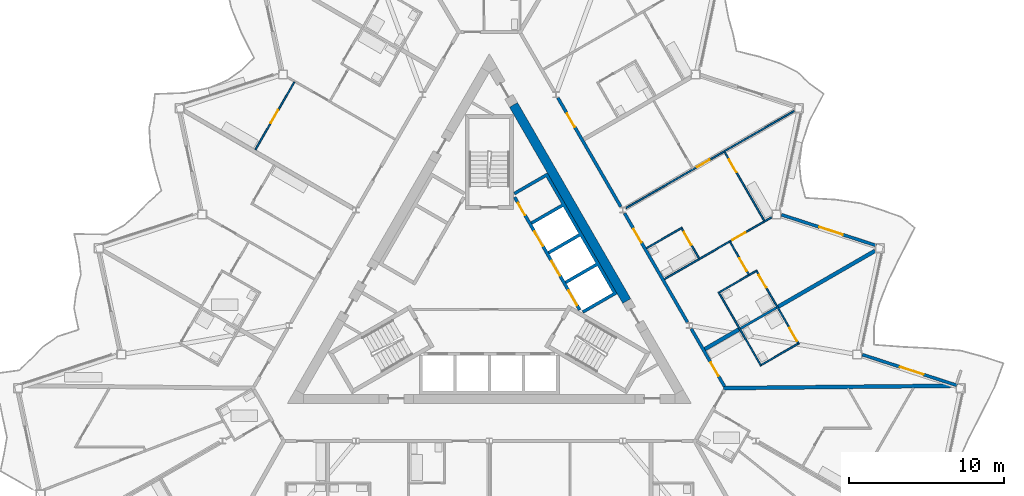
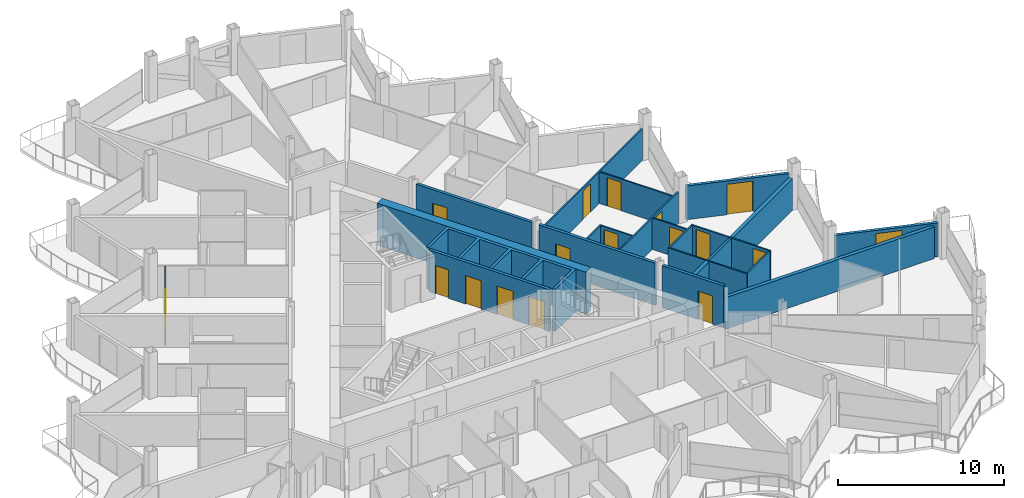
# One storey, part 17 of 27: 23 walls, 17 doors, 17 openings.
"""IFC4 building model written with IfcOpenShell, lengths in metres."""

from ifc_helpers import new_model, si_unit, direction, frame, frame_2d, origin, place, context, subcontext, project, spatial, polyline, rectangle, outline, extrude, material, layer, layer_set, type_object, element, fill, save


model = new_model("IFC4")

# Units and contexts
model_context = context("Model", 3, precision=1e-05, world=origin(), true_north=direction((0.0, 1.0)))
body_context = subcontext(model_context, "Body", "Model", "MODEL_VIEW")
ifc_project = project(units=[si_unit("LENGTHUNIT", "METRE"), si_unit("AREAUNIT", "SQUARE_METRE"), si_unit("VOLUMEUNIT", "CUBIC_METRE"), si_unit("PLANEANGLEUNIT", "RADIAN"), si_unit("MASSUNIT", "GRAM", prefix="KILO")], contexts=[model_context])

# Site, building, storey
site_placement = place(None, origin())
site = spatial("IfcSite", under=ifc_project, at=site_placement, CompositionType="ELEMENT")
building_placement = place(site_placement, origin())
building = spatial("IfcBuilding", under=site, at=building_placement, Name="Cormorant Prow Tower", CompositionType="ELEMENT")
storey_placement = place(building_placement, frame((0.0, 0.0, 335.800048828125)))
storey = spatial("IfcBuildingStorey", under=building, at=storey_placement, Name="L75", CompositionType="ELEMENT", Elevation=335.800048828125)

# Wall
ifc_material_1 = material(Name="Concrete 8000 psi", Category="concrete")
ifc_layer_1 = layer(ifc_material_1, 0.60009765625)
ifc_layer_set_1 = layer_set([ifc_layer_1], Name="Concrete 8000 psi")
wall_type_1 = type_object("IfcWallType", Name="Core shear wall 600", PredefinedType="SHEAR", material=ifc_layer_set_1)
wall_1_placement = place(storey_placement, frame((8.841064453125, -0.902099609375, 0.0), z_axis=(0.0, 0.0, 1.0), x_axis=(-0.499995618375, 0.866027933502, 0.0)))
element("IfcWall", 1, at=wall_1_placement, inside=storey, type_object=wall_type_1, Name="Core wall", PredefinedType="SHEAR", context=body_context, shape_type="SweptSolid", body=[
    extrude(rectangle(XDim=14.570556640625, YDim=0.60009765625, at=frame_2d((7.28515625, 0.0))), origin(), (0.0, 0.0, 1.0), 3.099853515625),
])

# Wall, opening, door
ifc_material_2 = material(Name="Gypsum board corridor wall")
ifc_layer_2 = layer(ifc_material_2, 0.199951171875)
ifc_layer_set_2 = layer_set([ifc_layer_2], Name="Gypsum board corridor wall")
wall_type_2 = type_object("IfcWallType", Name="Corridor wall 200", PredefinedType="PARTITIONING", material=ifc_layer_set_2)
wall_2_placement = place(storey_placement, frame((4.4091796875, 12.17431640625, 0.0), z_axis=(0.0, 0.0, 1.0), x_axis=(0.499984266882, -0.866034487114, 0.0)))
wall_2 = element("IfcWall", 2, at=wall_2_placement, inside=storey, type_object=wall_type_2, Name="Corridor wall", PredefinedType="PARTITIONING", context=body_context, shape_type="SweptSolid", body=[
    extrude(rectangle(XDim=8.098876953125, YDim=0.199951171875, at=frame_2d((4.04931640625, 0.0))), origin(), (0.0, 0.0, 1.0), 3.099853515625),
])
opening_1_placement = place(wall_2_placement, frame((1.16357421875, 0.0, 0.0)))
opening_1 = element("IfcOpeningElement", 3, at=opening_1_placement, cuts=wall_2, Name="Opening L75-F32", PredefinedType="OPENING", context=body_context, shape_type="SweptSolid", body=[
    extrude(rectangle(XDim=1.0, YDim=2.10009765625, at=frame_2d((0.5, 1.050048828125))), frame((0.0, 0.10986328125, 0.0), z_axis=(0.0, -1.0, 0.0), x_axis=(1.0, 0.0, 0.0)), (0.0, 0.0, 1.0), 0.219970703125),
])
ifc_material_3 = material(Name="Timber door leaf", Category="wood")
door_type_1 = type_object("IfcDoorType", Name="Flat or room entrance door 1000x2100", OperationType="NOTDEFINED", PredefinedType="DOOR", material=ifc_material_3)
door_1_placement = place(opening_1_placement, origin())
door_1 = element("IfcDoor", 4, at=door_1_placement, inside=storey, type_object=door_type_1, Name="Living room door", OperationType="SINGLE_SWING_RIGHT", OverallHeight=2.10009765625, OverallWidth=1.0, PredefinedType="DOOR", context=body_context, shape_type="SweptSolid", body=[
    extrude(rectangle(XDim=1.0, YDim=2.10009765625, at=frame_2d((0.5, 1.050048828125))), frame((0.0, 0.02490234375, 0.0), z_axis=(0.0, -1.0, 0.0), x_axis=(1.0, 0.0, 0.0)), (0.0, 0.0, 1.0), 0.050048828125),
])
fill(opening_1, door_1)

wall_3_placement = place(storey_placement, frame((8.698486328125, 4.7451171875, 0.0), z_axis=(0.0, 0.0, 1.0), x_axis=(0.499984266882, -0.866034487114, 0.0)))
wall_3 = element("IfcWall", 5, at=wall_3_placement, inside=storey, type_object=wall_type_2, Name="Corridor wall", PredefinedType="PARTITIONING", context=body_context, shape_type="SweptSolid", body=[
    extrude(rectangle(XDim=8.098876953125, YDim=0.199951171875, at=frame_2d((4.04931640625, 0.0))), origin(), (0.0, 0.0, 1.0), 3.099853515625),
])
opening_2_placement = place(wall_3_placement, frame((1.16357421875, 0.0, 0.0)))
opening_2 = element("IfcOpeningElement", 6, at=opening_2_placement, cuts=wall_3, Name="Opening L75-F24", PredefinedType="OPENING", context=body_context, shape_type="SweptSolid", body=[
    extrude(rectangle(XDim=1.0, YDim=2.10009765625, at=frame_2d((0.5, 1.050048828125))), frame((0.0, 0.10986328125, 0.0), z_axis=(0.0, -1.0, 0.0), x_axis=(1.0, 0.0, 0.0)), (0.0, 0.0, 1.0), 0.219970703125),
])
door_2_placement = place(opening_2_placement, origin())
door_2 = element("IfcDoor", 7, at=door_2_placement, inside=storey, type_object=door_type_1, Name="Living room door", OperationType="SINGLE_SWING_RIGHT", OverallHeight=2.10009765625, OverallWidth=1.0, PredefinedType="DOOR", context=body_context, shape_type="SweptSolid", body=[
    extrude(rectangle(XDim=1.0, YDim=2.10009765625, at=frame_2d((0.5, 1.050048828125))), frame((0.0, 0.02490234375, 0.0), z_axis=(0.0, -1.0, 0.0), x_axis=(1.0, 0.0, 0.0)), (0.0, 0.0, 1.0), 0.050048828125),
])
fill(opening_2, door_2)

wall_4_placement = place(storey_placement, frame((12.987548828125, -2.68408203125, 0.0), z_axis=(0.0, 0.0, 1.0), x_axis=(0.500003406062, -0.866023437285, 0.0)))
wall_4 = element("IfcWall", 8, at=wall_4_placement, inside=storey, type_object=wall_type_2, Name="Corridor wall", PredefinedType="PARTITIONING", context=body_context, shape_type="SweptSolid", body=[
    extrude(rectangle(XDim=4.28759765625, YDim=0.199951171875, at=frame_2d((2.143798828125, 0.0))), origin(), (0.0, 0.0, 1.0), 3.099853515625),
])
opening_3_placement = place(wall_4_placement, frame((2.521484375, 0.0, 0.0)))
opening_3 = element("IfcOpeningElement", 9, at=opening_3_placement, cuts=wall_4, Name="Opening L75-F22", PredefinedType="OPENING", context=body_context, shape_type="SweptSolid", body=[
    extrude(rectangle(XDim=1.0, YDim=2.10009765625, at=frame_2d((0.5, 1.050048828125))), frame((0.0, 0.10986328125, 0.0), z_axis=(0.0, -1.0, 0.0), x_axis=(1.0, 0.0, 0.0)), (0.0, 0.0, 1.0), 0.219970703125),
])
door_3_placement = place(opening_3_placement, origin())
door_3 = element("IfcDoor", 10, at=door_3_placement, inside=storey, type_object=door_type_1, Name="Studio living, kitchen and sleeping room door", OperationType="SINGLE_SWING_LEFT", OverallHeight=2.10009765625, OverallWidth=1.0, PredefinedType="DOOR", context=body_context, shape_type="SweptSolid", body=[
    extrude(rectangle(XDim=1.0, YDim=2.10009765625, at=frame_2d((0.5, 1.050048828125))), frame((0.0, 0.02490234375, 0.0), z_axis=(0.0, -1.0, 0.0), x_axis=(1.0, 0.0, 0.0)), (0.0, 0.0, 1.0), 0.050048828125),
])
fill(opening_3, door_3)

ifc_material_4 = material(Name="Gypsum board partition")
ifc_layer_3 = layer(ifc_material_4, 0.10009765625)
ifc_layer_set_3 = layer_set([ifc_layer_3], Name="Gypsum board partition")
wall_type_3 = type_object("IfcWallType", Name="Internal partition 100", PredefinedType="PARTITIONING", material=ifc_layer_set_3)
wall_5_placement = place(storey_placement, frame((8.7861328125, 5.07275390625, 0.0), z_axis=(0.0, 0.0, 1.0), x_axis=(0.86602139559, 0.500006942333, 0.0)))
wall_5 = element("IfcWall", 11, at=wall_5_placement, inside=storey, type_object=wall_type_3, Name="Internal partition", PredefinedType="PARTITIONING", context=body_context, shape_type="SweptSolid", body=[
    extrude(rectangle(XDim=12.504638671875, YDim=0.10009765625, at=frame_2d((6.25244140625, 0.0))), origin(), (0.0, 0.0, 1.0), 2.330078125),
])
opening_4_placement = place(wall_5_placement, frame((5.27490234375, 0.0, 0.0)))
opening_4 = element("IfcOpeningElement", 12, at=opening_4_placement, cuts=wall_5, Name="Opening L75-F29", PredefinedType="OPENING", context=body_context, shape_type="SweptSolid", body=[
    extrude(rectangle(XDim=0.949951171875, YDim=2.10009765625, at=frame_2d((0.47509765625, 1.050048828125))), frame((0.0, 0.06005859375, 0.0), z_axis=(0.0, -1.0, 0.0), x_axis=(1.0, 0.0, 0.0)), (0.0, 0.0, 1.0), 0.1201171875),
])
ifc_material_5 = material(Name="Timber door leaf", Category="wood")
door_type_2 = type_object("IfcDoorType", Name="Bathroom door 950x2100", OperationType="NOTDEFINED", PredefinedType="DOOR", material=ifc_material_5)
door_4_placement = place(opening_4_placement, origin())
door_4 = element("IfcDoor", 13, at=door_4_placement, inside=storey, type_object=door_type_2, Name="Living room door", OperationType="SINGLE_SWING_LEFT", OverallHeight=2.10009765625, OverallWidth=0.949951171875, PredefinedType="DOOR", context=body_context, shape_type="SweptSolid", body=[
    extrude(rectangle(XDim=0.949951171875, YDim=2.10009765625, at=frame_2d((0.47509765625, 1.050048828125))), frame((0.0, 0.02490234375, 0.0), z_axis=(0.0, -1.0, 0.0), x_axis=(1.0, 0.0, 0.0)), (0.0, 0.0, 1.0), 0.050048828125),
])
fill(opening_4, door_4)

wall_6_placement = place(storey_placement, frame((11.26318359375, 0.502685546875, 0.0), z_axis=(0.0, 0.0, 1.0), x_axis=(0.866023773276, 0.500002824113, 0.0)))
wall_6 = element("IfcWall", 14, at=wall_6_placement, inside=storey, type_object=wall_type_3, Name="Internal partition", PredefinedType="PARTITIONING", context=body_context, shape_type="SweptSolid", body=[
    extrude(rectangle(XDim=7.96484375, YDim=0.10009765625, at=frame_2d((3.982421875, 0.0))), origin(), (0.0, 0.0, 1.0), 2.330078125),
])
opening_5_placement = place(wall_6_placement, frame((5.06103515625, 0.0, 0.0)))
opening_5 = element("IfcOpeningElement", 15, at=opening_5_placement, cuts=wall_6, Name="Opening L75-F27", PredefinedType="OPENING", context=body_context, shape_type="SweptSolid", body=[
    extrude(rectangle(XDim=0.949951171875, YDim=2.10009765625, at=frame_2d((0.47509765625, 1.050048828125))), frame((0.0, 0.06005859375, 0.0), z_axis=(0.0, -1.0, 0.0), x_axis=(1.0, 0.0, 0.0)), (0.0, 0.0, 1.0), 0.1201171875),
])
door_5_placement = place(opening_5_placement, origin())
door_5 = element("IfcDoor", 16, at=door_5_placement, inside=storey, type_object=door_type_2, Name="Living room door", OperationType="SINGLE_SWING_LEFT", OverallHeight=2.10009765625, OverallWidth=0.949951171875, PredefinedType="DOOR", context=body_context, shape_type="SweptSolid", body=[
    extrude(rectangle(XDim=0.949951171875, YDim=2.10009765625, at=frame_2d((0.47509765625, 1.050048828125))), frame((0.0, 0.02490234375, 0.0), z_axis=(0.0, -1.0, 0.0), x_axis=(1.0, 0.0, 0.0)), (0.0, 0.0, 1.0), 0.050048828125),
])
fill(opening_5, door_5)

# Wall
wall_7_placement = place(storey_placement, frame((14.738037109375, -0.31591796875, 0.0), z_axis=(0.0, 0.0, 1.0), x_axis=(0.499996545922, -0.866027397988, 0.0)))
element("IfcWall", 17, at=wall_7_placement, inside=storey, type_object=wall_type_3, Name="Internal partition", PredefinedType="PARTITIONING", context=body_context, shape_type="SweptSolid", body=[
    extrude(rectangle(XDim=5.5, YDim=0.10009765625, at=frame_2d((2.75, 0.0))), origin(), (0.0, 0.0, 1.0), 2.330078125),
])

# Wall, openings, doors
wall_8_placement = place(storey_placement, frame((17.162841796875, 1.083984375, 0.0), z_axis=(0.0, 0.0, 1.0), x_axis=(0.500015767406, -0.866016300277, 0.0)))
wall_8 = element("IfcWall", 18, at=wall_8_placement, inside=storey, type_object=wall_type_3, Name="Internal partition", PredefinedType="PARTITIONING", context=body_context, shape_type="SweptSolid", body=[
    extrude(rectangle(XDim=5.499755859375, YDim=0.10009765625, at=frame_2d((2.75, 0.0))), origin(), (0.0, 0.0, 1.0), 2.330078125),
])
opening_6_placement = place(wall_8_placement, frame((4.300048828125, 0.0, 0.0)))
opening_6 = element("IfcOpeningElement", 19, at=opening_6_placement, cuts=wall_8, Name="Opening L75-F23", PredefinedType="OPENING", context=body_context, shape_type="SweptSolid", body=[
    extrude(rectangle(XDim=0.949951171875, YDim=2.10009765625, at=frame_2d((0.47509765625, 1.050048828125))), frame((0.0, 0.06005859375, 0.0), z_axis=(0.0, -1.0, 0.0), x_axis=(1.0, 0.0, 0.0)), (0.0, 0.0, 1.0), 0.1201171875),
])
opening_7_placement = place(wall_8_placement, frame((0.351318359375, 0.0, 0.0)))
opening_7 = element("IfcOpeningElement", 20, at=opening_7_placement, cuts=wall_8, Name="Opening L75-F31", PredefinedType="OPENING", context=body_context, shape_type="SweptSolid", body=[
    extrude(rectangle(XDim=0.949951171875, YDim=2.10009765625, at=frame_2d((0.47509765625, 1.050048828125))), frame((0.0, 0.06005859375, 0.0), z_axis=(0.0, -1.0, 0.0), x_axis=(1.0, 0.0, 0.0)), (0.0, 0.0, 1.0), 0.1201171875),
])
door_6_placement = place(opening_6_placement, origin())
door_6 = element("IfcDoor", 21, at=door_6_placement, inside=storey, type_object=door_type_2, Name="Studio living, kitchen and sleeping room door", OperationType="SINGLE_SWING_RIGHT", OverallHeight=2.10009765625, OverallWidth=0.949951171875, PredefinedType="DOOR", context=body_context, shape_type="SweptSolid", body=[
    extrude(rectangle(XDim=0.949951171875, YDim=2.10009765625, at=frame_2d((0.47509765625, 1.050048828125))), frame((0.0, 0.02490234375, 0.0), z_axis=(0.0, -1.0, 0.0), x_axis=(1.0, 0.0, 0.0)), (0.0, 0.0, 1.0), 0.050048828125),
])
fill(opening_6, door_6)
door_7_placement = place(opening_7_placement, origin())
door_7 = element("IfcDoor", 22, at=door_7_placement, inside=storey, type_object=door_type_2, Name="Bedroom door", OperationType="SINGLE_SWING_LEFT", OverallHeight=2.10009765625, OverallWidth=0.949951171875, PredefinedType="DOOR", context=body_context, shape_type="SweptSolid", body=[
    extrude(rectangle(XDim=0.949951171875, YDim=2.10009765625, at=frame_2d((0.47509765625, 1.050048828125))), frame((0.0, 0.02490234375, 0.0), z_axis=(0.0, -1.0, 0.0), x_axis=(1.0, 0.0, 0.0)), (0.0, 0.0, 1.0), 0.050048828125),
])
fill(opening_7, door_7)

# Wall, opening, door
wall_9_placement = place(storey_placement, frame((-15.052490234375, 8.834716796875, 0.0), z_axis=(0.0, 0.0, 1.0), x_axis=(0.500008642379, 0.866020414047, 0.0)))
wall_9 = element("IfcWall", 23, at=wall_9_placement, inside=storey, type_object=wall_type_3, Name="Internal partition", PredefinedType="PARTITIONING", context=body_context, shape_type="SweptSolid", body=[
    extrude(rectangle(XDim=5.021484375, YDim=0.10009765625, at=frame_2d((2.5107421875, 0.0))), origin(), (0.0, 0.0, 1.0), 2.330078125),
])
opening_8_placement = place(wall_9_placement, frame((1.984619140625, 0.0, 0.0)))
opening_8 = element("IfcOpeningElement", 24, at=opening_8_placement, cuts=wall_9, Name="Opening L75-F47", PredefinedType="OPENING", context=body_context, shape_type="SweptSolid", body=[
    extrude(rectangle(XDim=0.949951171875, YDim=2.10009765625, at=frame_2d((0.47509765625, 1.050048828125))), frame((0.0, 0.06005859375, 0.0), z_axis=(0.0, -1.0, 0.0), x_axis=(1.0, 0.0, 0.0)), (0.0, 0.0, 1.0), 0.1201171875),
])
door_8_placement = place(opening_8_placement, origin())
door_8 = element("IfcDoor", 25, at=door_8_placement, inside=storey, type_object=door_type_2, Name="Living room door", OperationType="SINGLE_SWING_RIGHT", OverallHeight=2.10009765625, OverallWidth=0.949951171875, PredefinedType="DOOR", context=body_context, shape_type="SweptSolid", body=[
    extrude(rectangle(XDim=0.949951171875, YDim=2.10009765625, at=frame_2d((0.47509765625, 1.050048828125))), frame((0.0, 0.02490234375, 0.0), z_axis=(0.0, -1.0, 0.0), x_axis=(1.0, 0.0, 0.0)), (0.0, 0.0, 1.0), 0.050048828125),
])
fill(opening_8, door_8)

wall_10_placement = place(storey_placement, frame((15.139892578125, 8.683349609375, 0.0), z_axis=(0.0, 0.0, 1.0), x_axis=(0.499987849973, -0.866032418492, 0.0)))
wall_10 = element("IfcWall", 26, at=wall_10_placement, inside=storey, type_object=wall_type_3, Name="Internal partition", PredefinedType="PARTITIONING", context=body_context, shape_type="SweptSolid", body=[
    extrude(rectangle(XDim=5.096435546875, YDim=0.10009765625, at=frame_2d((2.54833984375, 0.0))), origin(), (0.0, 0.0, 1.0), 2.330078125),
])
opening_9_placement = place(wall_10_placement, frame((0.553955078125, 0.0, 0.0)))
opening_9 = element("IfcOpeningElement", 27, at=opening_9_placement, cuts=wall_10, Name="Opening L75-F26", PredefinedType="OPENING", context=body_context, shape_type="SweptSolid", body=[
    extrude(rectangle(XDim=0.949951171875, YDim=2.10009765625, at=frame_2d((0.47509765625, 1.050048828125))), frame((0.0, 0.06005859375, 0.0), z_axis=(0.0, -1.0, 0.0), x_axis=(1.0, 0.0, 0.0)), (0.0, 0.0, 1.0), 0.1201171875),
])
door_9_placement = place(opening_9_placement, origin())
door_9 = element("IfcDoor", 28, at=door_9_placement, inside=storey, type_object=door_type_2, Name="Living room door", OperationType="SINGLE_SWING_LEFT", OverallHeight=2.10009765625, OverallWidth=0.949951171875, PredefinedType="DOOR", context=body_context, shape_type="SweptSolid", body=[
    extrude(rectangle(XDim=0.949951171875, YDim=2.10009765625, at=frame_2d((0.47509765625, 1.050048828125))), frame((0.0, 0.02490234375, 0.0), z_axis=(0.0, -1.0, 0.0), x_axis=(1.0, 0.0, 0.0)), (0.0, 0.0, 1.0), 0.050048828125),
])
fill(opening_9, door_9)

# Walls
for number, where, z_axis, x_axis, name in (
    (29, (17.50634765625, -5.0107421875, 0.0), (0.0, 0.0, 1.0), (0.86599734893, 0.500048589285, 0.0), "Internal partition"),
    (30, (14.806396484375, -0.334228515625, 0.0), (0.0, 0.0, 1.0), (0.86599734893, 0.500048589285, 0.0), "Internal partition"),
):
    element("IfcWall", number, at=place(storey_placement, frame(where, z_axis=z_axis, x_axis=x_axis)), inside=storey, type_object=wall_type_3, Name=name, PredefinedType="PARTITIONING", context=body_context, shape_type="SweptSolid", body=[
        extrude(rectangle(XDim=2.699951171875, YDim=0.10009765625, at=frame_2d((1.35009765625, 0.0))), origin(), (0.0, 0.0, 1.0), 2.330078125),
    ])
wall_11_placement = place(storey_placement, frame((10.11328125, 2.494384765625, 0.0), z_axis=(0.0, 0.0, 1.0), x_axis=(0.865989200783, 0.500062700197, 0.0)))
element("IfcWall", 31, at=wall_11_placement, inside=storey, type_object=wall_type_3, Name="Internal partition", PredefinedType="PARTITIONING", context=body_context, shape_type="SweptSolid", body=[
    extrude(rectangle(XDim=2.650146484375, YDim=0.10009765625, at=frame_2d((1.3251953125, 0.0))), origin(), (0.0, 0.0, 1.0), 2.330078125),
])

# Wall, opening, door
wall_12_placement = place(storey_placement, frame((15.492919921875, 2.886962890625, 0.0), z_axis=(0.0, 0.0, 1.0), x_axis=(0.499963527173, -0.866046460357, 0.0)))
wall_12 = element("IfcWall", 32, at=wall_12_placement, inside=storey, type_object=wall_type_3, Name="Internal partition", PredefinedType="PARTITIONING", context=body_context, shape_type="SweptSolid", body=[
    extrude(rectangle(XDim=2.396240234375, YDim=0.10009765625, at=frame_2d((1.1982421875, 0.0))), origin(), (0.0, 0.0, 1.0), 2.330078125),
])
opening_10_placement = place(wall_12_placement, frame((1.1962890625, 0.0, 0.0)))
opening_10 = element("IfcOpeningElement", 33, at=opening_10_placement, cuts=wall_12, Name="Opening L75-F28", PredefinedType="OPENING", context=body_context, shape_type="SweptSolid", body=[
    extrude(rectangle(XDim=0.949951171875, YDim=2.10009765625, at=frame_2d((0.47509765625, 1.050048828125))), frame((0.0, 0.06005859375, 0.0), z_axis=(0.0, -1.0, 0.0), x_axis=(1.0, 0.0, 0.0)), (0.0, 0.0, 1.0), 0.1201171875),
])
door_10_placement = place(opening_10_placement, origin())
door_10 = element("IfcDoor", 34, at=door_10_placement, inside=storey, type_object=door_type_2, Name="Bedroom door", OperationType="SINGLE_SWING_RIGHT", OverallHeight=2.10009765625, OverallWidth=0.949951171875, PredefinedType="DOOR", context=body_context, shape_type="SweptSolid", body=[
    extrude(rectangle(XDim=0.949951171875, YDim=2.10009765625, at=frame_2d((0.47509765625, 1.050048828125))), frame((0.0, 0.02490234375, 0.0), z_axis=(0.0, -1.0, 0.0), x_axis=(1.0, 0.0, 0.0)), (0.0, 0.0, 1.0), 0.050048828125),
])
fill(opening_10, door_10)

wall_13_placement = place(storey_placement, frame((12.389892578125, 3.751220703125, 0.0), z_axis=(0.0, 0.0, 1.0), x_axis=(0.50002983664, -0.866008176907, 0.0)))
wall_13 = element("IfcWall", 35, at=wall_13_placement, inside=storey, type_object=wall_type_3, Name="Internal partition", PredefinedType="PARTITIONING", context=body_context, shape_type="SweptSolid", body=[
    extrude(rectangle(XDim=2.199951171875, YDim=0.10009765625, at=frame_2d((1.10009765625, 0.0))), origin(), (0.0, 0.0, 1.0), 2.330078125),
])
opening_11_placement = place(wall_13_placement, frame((0.25, 0.0, 0.0)))
opening_11 = element("IfcOpeningElement", 36, at=opening_11_placement, cuts=wall_13, Name="Opening L75-F25", PredefinedType="OPENING", context=body_context, shape_type="SweptSolid", body=[
    extrude(rectangle(XDim=0.949951171875, YDim=2.10009765625, at=frame_2d((0.47509765625, 1.050048828125))), frame((0.0, 0.06005859375, 0.0), z_axis=(0.0, -1.0, 0.0), x_axis=(1.0, 0.0, 0.0)), (0.0, 0.0, 1.0), 0.1201171875),
])
door_11_placement = place(opening_11_placement, origin())
door_11 = element("IfcDoor", 37, at=door_11_placement, inside=storey, type_object=door_type_2, Name="Living room door", OperationType="SINGLE_SWING_LEFT", OverallHeight=2.10009765625, OverallWidth=0.949951171875, PredefinedType="DOOR", context=body_context, shape_type="SweptSolid", body=[
    extrude(rectangle(XDim=0.949951171875, YDim=2.10009765625, at=frame_2d((0.47509765625, 1.050048828125))), frame((0.0, 0.02490234375, 0.0), z_axis=(0.0, -1.0, 0.0), x_axis=(1.0, 0.0, 0.0)), (0.0, 0.0, 1.0), 0.050048828125),
])
fill(opening_11, door_11)

# Wall, openings, doors
ifc_material_6 = material(Name="Concrete 5000 psi", Category="concrete")
ifc_layer_4 = layer(ifc_material_6, 0.199951171875)
ifc_layer_set_4 = layer_set([ifc_layer_4], Name="Concrete 5000 psi")
wall_type_4 = type_object("IfcWallType", Name="Lift lobby wall 200", PredefinedType="SOLIDWALL", material=ifc_layer_set_4)
wall_14_placement = place(storey_placement, frame((5.817138671875, -1.4755859375, 0.0), z_axis=(0.0, 0.0, 1.0), x_axis=(-0.500002616675, 0.866023893041, 0.0)))
wall_14 = element("IfcWall", 38, at=wall_14_placement, inside=storey, type_object=wall_type_4, Name="Lift lobby wall, ENE block", PredefinedType="SOLIDWALL", context=body_context, shape_type="SweptSolid", body=[
    extrude(rectangle(XDim=8.373046875, YDim=0.199951171875, at=frame_2d((4.1865234375, 0.0))), origin(), (0.0, 0.0, 1.0), 3.099853515625),
])
opening_12_placement = place(wall_14_placement, frame((0.336669921875, 0.0, 0.0)))
opening_12 = element("IfcOpeningElement", 39, at=opening_12_placement, cuts=wall_14, Name="Opening L75-C05", PredefinedType="OPENING", context=body_context, shape_type="SweptSolid", body=[
    extrude(rectangle(XDim=1.10009765625, YDim=2.10009765625, at=frame_2d((0.550048828125, 1.050048828125))), frame((0.0, 0.10986328125, 0.0), z_axis=(0.0, -1.0, 0.0), x_axis=(1.0, 0.0, 0.0)), (0.0, 0.0, 1.0), 0.219970703125),
])
opening_13_placement = place(wall_14_placement, frame((2.53662109375, 0.0, 0.0)))
opening_13 = element("IfcOpeningElement", 40, at=opening_13_placement, cuts=wall_14, Name="Opening L75-C06", PredefinedType="OPENING", context=body_context, shape_type="SweptSolid", body=[
    extrude(rectangle(XDim=1.10009765625, YDim=2.10009765625, at=frame_2d((0.550048828125, 1.050048828125))), frame((0.0, 0.10986328125, 0.0), z_axis=(0.0, -1.0, 0.0), x_axis=(1.0, 0.0, 0.0)), (0.0, 0.0, 1.0), 0.219970703125),
])
opening_14_placement = place(wall_14_placement, frame((4.736572265625, 0.0, 0.0)))
opening_14 = element("IfcOpeningElement", 41, at=opening_14_placement, cuts=wall_14, Name="Opening L75-C07", PredefinedType="OPENING", context=body_context, shape_type="SweptSolid", body=[
    extrude(rectangle(XDim=1.10009765625, YDim=2.10009765625, at=frame_2d((0.550048828125, 1.050048828125))), frame((0.0, 0.10986328125, 0.0), z_axis=(0.0, -1.0, 0.0), x_axis=(1.0, 0.0, 0.0)), (0.0, 0.0, 1.0), 0.219970703125),
])
opening_15_placement = place(wall_14_placement, frame((7.03662109375, 0.0, 0.0)))
opening_15 = element("IfcOpeningElement", 42, at=opening_15_placement, cuts=wall_14, Name="Opening L75-C08", PredefinedType="OPENING", context=body_context, shape_type="SweptSolid", body=[
    extrude(rectangle(XDim=0.89990234375, YDim=2.10009765625, at=frame_2d((0.449951171875, 1.050048828125))), frame((0.0, 0.10986328125, 0.0), z_axis=(0.0, -1.0, 0.0), x_axis=(1.0, 0.0, 0.0)), (0.0, 0.0, 1.0), 0.219970703125),
])
ifc_material_7 = material(Name="Painted steel", Category="steel")
door_type_3 = type_object("IfcDoorType", Name="Lift landing door 1100x2100", OperationType="SLIDING_TO_LEFT", PredefinedType="DOOR", material=ifc_material_7)
door_12_placement = place(opening_12_placement, origin())
door_12 = element("IfcDoor", 43, at=door_12_placement, inside=storey, type_object=door_type_3, Name="Landing door HR2", OperationType="SLIDING_TO_LEFT", OverallHeight=2.10009765625, OverallWidth=1.10009765625, PredefinedType="DOOR", context=body_context, shape_type="SweptSolid", body=[
    extrude(rectangle(XDim=1.10009765625, YDim=2.10009765625, at=frame_2d((0.550048828125, 1.050048828125))), frame((0.0, 0.02490234375, 0.0), z_axis=(0.0, -1.0, 0.0), x_axis=(1.0, 0.0, 0.0)), (0.0, 0.0, 1.0), 0.050048828125),
])
fill(opening_12, door_12)
door_13_placement = place(opening_13_placement, origin())
door_13 = element("IfcDoor", 44, at=door_13_placement, inside=storey, type_object=door_type_3, Name="Landing door HR3", OperationType="SLIDING_TO_LEFT", OverallHeight=2.10009765625, OverallWidth=1.10009765625, PredefinedType="DOOR", context=body_context, shape_type="SweptSolid", body=[
    extrude(rectangle(XDim=1.10009765625, YDim=2.10009765625, at=frame_2d((0.550048828125, 1.050048828125))), frame((0.0, 0.02490234375, 0.0), z_axis=(0.0, -1.0, 0.0), x_axis=(1.0, 0.0, 0.0)), (0.0, 0.0, 1.0), 0.050048828125),
])
fill(opening_13, door_13)
door_14_placement = place(opening_14_placement, origin())
door_14 = element("IfcDoor", 45, at=door_14_placement, inside=storey, type_object=door_type_3, Name="Landing door HR4", OperationType="SLIDING_TO_LEFT", OverallHeight=2.10009765625, OverallWidth=1.10009765625, PredefinedType="DOOR", context=body_context, shape_type="SweptSolid", body=[
    extrude(rectangle(XDim=1.10009765625, YDim=2.10009765625, at=frame_2d((0.550048828125, 1.050048828125))), frame((0.0, 0.02490234375, 0.0), z_axis=(0.0, -1.0, 0.0), x_axis=(1.0, 0.0, 0.0)), (0.0, 0.0, 1.0), 0.050048828125),
])
fill(opening_14, door_14)
ifc_material_8 = material(Name="Painted steel", Category="steel")
door_type_4 = type_object("IfcDoorType", Name="Service door 900x2100", OperationType="NOTDEFINED", PredefinedType="DOOR", material=ifc_material_8)
door_15_placement = place(opening_15_placement, origin())
door_15 = element("IfcDoor", 46, at=door_15_placement, inside=storey, type_object=door_type_4, Name="Service door, Telecom room", OperationType="SINGLE_SWING_RIGHT", OverallHeight=2.10009765625, OverallWidth=0.89990234375, PredefinedType="DOOR", context=body_context, shape_type="SweptSolid", body=[
    extrude(rectangle(XDim=0.89990234375, YDim=2.10009765625, at=frame_2d((0.449951171875, 1.050048828125))), frame((0.0, 0.02490234375, 0.0), z_axis=(0.0, -1.0, 0.0), x_axis=(1.0, 0.0, 0.0)), (0.0, 0.0, 1.0), 0.050048828125),
])
fill(opening_15, door_15)

# Walls
ifc_material_9 = material(Name="Concrete 8000 psi", Category="concrete")
ifc_layer_5 = layer(ifc_material_9, 0.199951171875)
ifc_layer_set_5 = layer_set([ifc_layer_5], Name="Concrete 8000 psi")
wall_type_5 = type_object("IfcWallType", Name="Lift shaft wall 200", PredefinedType="SHEAR", material=ifc_layer_set_5)
wall_15_placement = place(storey_placement, origin())
element("IfcWall", 47, at=wall_15_placement, inside=storey, type_object=wall_type_5, Name="Lift shaft walls, ENE block", PredefinedType="SHEAR", context=body_context, shape_type="SweptSolid", body=[
    extrude(outline(polyline([(1.560546875, 6.09716796875), (3.730712890625, 7.35009765625), (8.230712890625, -0.444091796875), (6.060546875, -1.697021484375), (5.96044921875, -1.52392578125), (7.952392578125, -0.373779296875), (6.952392578125, 1.358154296875), (4.96044921875, 0.2080078125), (4.860595703125, 0.38134765625), (6.852294921875, 1.53125), (5.852294921875, 3.263427734375), (3.860595703125, 2.11328125), (3.760498046875, 2.28662109375), (5.75244140625, 3.4365234375), (4.75244140625, 5.168701171875), (2.760498046875, 4.018798828125), (2.660400390625, 4.19189453125), (4.65234375, 5.341796875), (3.65234375, 7.073974609375), (1.660400390625, 5.923828125), (1.560546875, 6.09716796875)])), origin(), (0.0, 0.0, 1.0), 3.099853515625),
])
ifc_material_10 = material(Name="Acoustic gypsum party wall")
ifc_layer_6 = layer(ifc_material_10, 0.25)
ifc_layer_set_6 = layer_set([ifc_layer_6], Name="Acoustic gypsum party wall")
wall_type_6 = type_object("IfcWallType", Name="Suite party wall 250", PredefinedType="PARTITIONING", material=ifc_layer_set_6)
wall_16_placement = place(storey_placement, frame((15.06884765625, -6.5068359375, 0.0), z_axis=(0.0, 0.0, 1.0), x_axis=(0.999946985532, 0.010296898856, 0.0)))
element("IfcWall", 48, at=wall_16_placement, inside=storey, type_object=wall_type_6, Name="Suite party wall", PredefinedType="PARTITIONING", context=body_context, shape_type="SweptSolid", body=[
    extrude(rectangle(XDim=14.676513671875, YDim=0.25, at=frame_2d((7.33837890625, 0.0))), origin(), (0.0, 0.0, 1.0), 2.330078125),
])
wall_17_placement = place(storey_placement, frame((18.581298828125, -1.2724609375, 0.0), z_axis=(0.0, 0.0, 1.0), x_axis=(0.866024038922, 0.500002364004, 0.0)))
element("IfcWall", 49, at=wall_17_placement, inside=storey, type_object=wall_type_6, Name="Suite party wall", PredefinedType="PARTITIONING", context=body_context, shape_type="SweptSolid", body=[
    extrude(rectangle(XDim=7.19775390625, YDim=0.25, at=frame_2d((3.598876953125, 0.0))), origin(), (0.0, 0.0, 1.0), 2.330078125),
])
wall_18_placement = place(storey_placement, frame((13.861328125, -3.997314453125, 0.0), z_axis=(0.0, 0.0, 1.0), x_axis=(0.866030925526, 0.499990435942, 0.0)))
element("IfcWall", 50, at=wall_18_placement, inside=storey, type_object=wall_type_6, Name="Suite party wall", PredefinedType="PARTITIONING", context=body_context, shape_type="SweptSolid", body=[
    extrude(rectangle(XDim=2.5498046875, YDim=0.25, at=frame_2d((1.27490234375, 0.0))), origin(), (0.0, 0.0, 1.0), 2.330078125),
])

# Wall, opening, door
ifc_material_11 = material(Name="Terracotta", Category="masonry")
ifc_layer_7 = layer(ifc_material_11, 0.199951171875)
ifc_layer_set_7 = layer_set([ifc_layer_7], Name="Terracotta")
wall_type_7 = type_object("IfcWallType", Name="Terracotta jamb wall 200", PredefinedType="SOLIDWALL", material=ifc_layer_set_7)
wall_19_placement = place(storey_placement, frame((30.089599609375, -6.333251953125, 0.0), z_axis=(0.0, 0.0, 1.0), x_axis=(-0.951048625867, 0.309041277561, 0.0)))
wall_19 = element("IfcWall", 51, at=wall_19_placement, inside=storey, type_object=wall_type_7, Name="Terracotta jamb wall ENE01", PredefinedType="SOLIDWALL", context=body_context, shape_type="SweptSolid", body=[
    extrude(rectangle(XDim=6.408447265625, YDim=0.199951171875, at=frame_2d((3.2041015625, 0.0))), origin(), (0.0, 0.0, 1.0), 2.48779296875),
])
opening_16_placement = place(wall_19_placement, frame((2.26220703125, 0.0, 0.0)))
opening_16 = element("IfcOpeningElement", 52, at=opening_16_placement, cuts=wall_19, Name="Opening ED75.06", PredefinedType="OPENING", context=body_context, shape_type="SweptSolid", body=[
    extrude(rectangle(XDim=1.60009765625, YDim=2.25, at=frame_2d((0.800048828125, 1.125))), frame((0.0, 0.10986328125, 0.0), z_axis=(0.0, -1.0, 0.0), x_axis=(1.0, 0.0, 0.0)), (0.0, 0.0, 1.0), 0.219970703125),
])
ifc_material_12 = material(Name="Aluminium 6063-T6", Category="aluminium")
door_type_5 = type_object("IfcDoorType", Name="Balcony door 1600x2250", OperationType="DOUBLE_DOOR_SINGLE_SWING", PredefinedType="DOOR", material=ifc_material_12)
door_16_placement = place(opening_16_placement, origin())
door_16 = element("IfcDoor", 53, at=door_16_placement, inside=storey, type_object=door_type_5, Name="Balcony door ENE01 ED75.06", OperationType="DOUBLE_DOOR_SINGLE_SWING", OverallHeight=2.25, OverallWidth=1.60009765625, PredefinedType="DOOR", context=body_context, shape_type="SweptSolid", body=[
    extrude(rectangle(XDim=1.60009765625, YDim=2.25, at=frame_2d((0.800048828125, 1.125))), frame((0.0, 0.02490234375, 0.0), z_axis=(0.0, -1.0, 0.0), x_axis=(1.0, 0.0, 0.0)), (0.0, 0.0, 1.0), 0.050048828125),
])
fill(opening_16, door_16)

wall_20_placement = place(storey_placement, frame((24.893310546875, 2.6669921875, 0.0), z_axis=(0.0, 0.0, 1.0), x_axis=(-0.951058691075, 0.309010301012, 0.0)))
wall_20 = element("IfcWall", 54, at=wall_20_placement, inside=storey, type_object=wall_type_7, Name="Terracotta jamb wall ENE03", PredefinedType="SOLIDWALL", context=body_context, shape_type="SweptSolid", body=[
    extrude(rectangle(XDim=6.411376953125, YDim=0.199951171875, at=frame_2d((3.20556640625, 0.0))), origin(), (0.0, 0.0, 1.0), 2.48779296875),
])
opening_17_placement = place(wall_20_placement, frame((2.26220703125, 0.0, 0.0)))
opening_17 = element("IfcOpeningElement", 55, at=opening_17_placement, cuts=wall_20, Name="Opening ED75.07", PredefinedType="OPENING", context=body_context, shape_type="SweptSolid", body=[
    extrude(rectangle(XDim=1.60009765625, YDim=2.25, at=frame_2d((0.800048828125, 1.125))), frame((0.0, 0.10986328125, 0.0), z_axis=(0.0, -1.0, 0.0), x_axis=(1.0, 0.0, 0.0)), (0.0, 0.0, 1.0), 0.219970703125),
])
door_17_placement = place(opening_17_placement, origin())
door_17 = element("IfcDoor", 56, at=door_17_placement, inside=storey, type_object=door_type_5, Name="Balcony door ENE03 ED75.07", OperationType="DOUBLE_DOOR_SINGLE_SWING", OverallHeight=2.25, OverallWidth=1.60009765625, PredefinedType="DOOR", context=body_context, shape_type="SweptSolid", body=[
    extrude(rectangle(XDim=1.60009765625, YDim=2.25, at=frame_2d((0.800048828125, 1.125))), frame((0.0, 0.02490234375, 0.0), z_axis=(0.0, -1.0, 0.0), x_axis=(1.0, 0.0, 0.0)), (0.0, 0.0, 1.0), 0.050048828125),
])
fill(opening_17, door_17)

# Wall
ifc_material_13 = material(Name="Plasterboard wet wall with pipe chase")
ifc_layer_8 = layer(ifc_material_13, 0.14990234375)
ifc_layer_set_8 = layer_set([ifc_layer_8], Name="Plasterboard wet wall with pipe chase")
wall_type_8 = type_object("IfcWallType", Name="Wet wall 150", PredefinedType="PLUMBINGWALL", material=ifc_layer_set_8)
wall_21_placement = place(storey_placement, frame((16.15625, -2.67236328125, 0.0), z_axis=(0.0, 0.0, 1.0), x_axis=(0.866059108428, 0.4999416173, 0.0)))
element("IfcWall", 57, at=wall_21_placement, inside=storey, type_object=wall_type_8, Name="Wet wall", PredefinedType="PLUMBINGWALL", context=body_context, shape_type="SweptSolid", body=[
    extrude(rectangle(XDim=2.699951171875, YDim=0.14990234375, at=frame_2d((1.35009765625, 0.0))), origin(), (0.0, 0.0, 1.0), 2.330078125),
])

save(model, "model.ifc")
